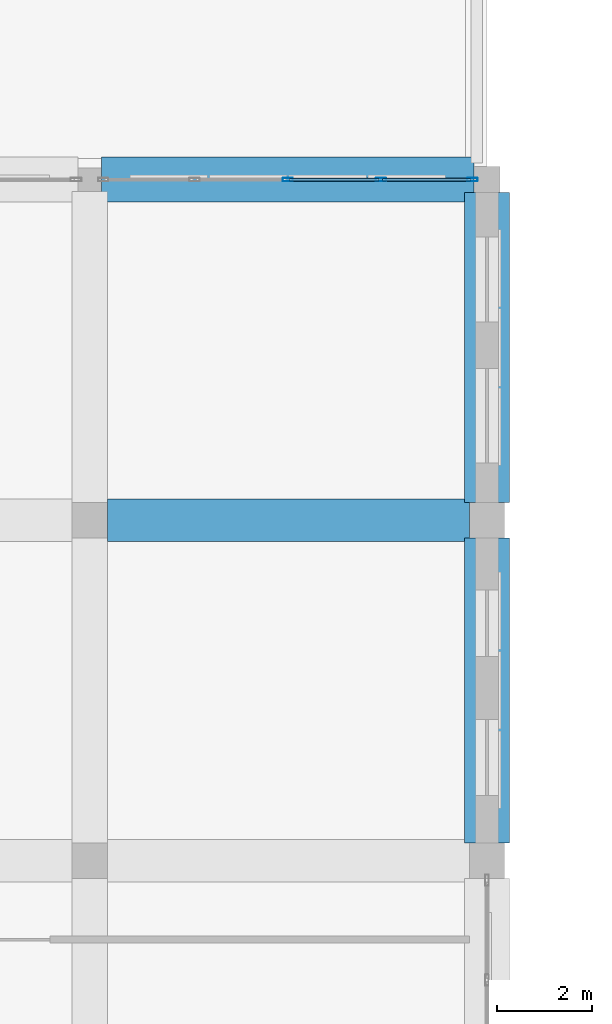
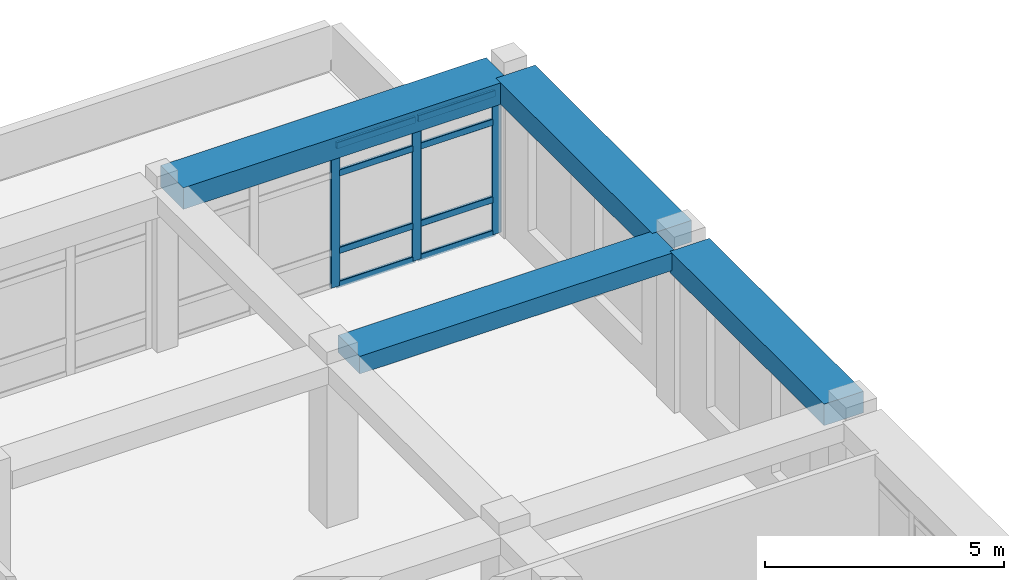
# One storey, part 41 of 111: 11 members, 4 beams, 1 element without a shape of its own.
"""IFC4 building model written with IfcOpenShell, lengths in metres."""

from ifc_helpers import new_model, si_unit, derived_unit, direction, frame, origin, origin_2d, place, context, subcontext, project, spatial, rectangle, hollow_rectangle, extrude, material, material_profile, profile_set, type_object, element, aggregate, save


model = new_model("IFC4")

# Units and contexts
model_context = context("Model", 3, precision=1e-05, world=origin(), true_north=direction((0.0, 1.0)))
body_context = subcontext(model_context, "Body", "Model", "MODEL_VIEW")
ifc_project = project(units=[si_unit("LENGTHUNIT", "METRE"), si_unit("AREAUNIT", "SQUARE_METRE"), si_unit("VOLUMEUNIT", "CUBIC_METRE"), si_unit("PLANEANGLEUNIT", "RADIAN"), si_unit("MASSUNIT", "GRAM", prefix="KILO"), derived_unit("THERMALTRANSMITTANCEUNIT", [(si_unit("POWERUNIT", "WATT"), 1), (si_unit("LENGTHUNIT", "METRE"), -2), (si_unit("THERMODYNAMICTEMPERATUREUNIT", "KELVIN"), -1)])], contexts=[model_context])

# Site, building, storey
site_placement = place(None, origin())
site = spatial("IfcSite", under=ifc_project, at=site_placement, CompositionType="ELEMENT")
building_placement = place(site_placement, origin())
building = spatial("IfcBuilding", under=site, at=building_placement, Name="Veybourne Emporium", CompositionType="ELEMENT")
storey_placement = place(building_placement, frame((0.0, 0.0, 9.89990234375)))
storey = spatial("IfcBuildingStorey", under=building, at=storey_placement, Name="L02", CompositionType="ELEMENT", Elevation=9.89990234375)

# Curtain wall, members
ifc_material_1 = material(Name="Patinated Architectural Bronze", Category="bronze")
curtain_wall_type = type_object("IfcCurtainWallType", Name="CWSystem_CWS-24", PredefinedType="NOTDEFINED", material=ifc_material_1)
curtain_wall_placement = place(storey_placement, origin())
curtain_wall = element("IfcCurtainWall", 1, at=curtain_wall_placement, inside=storey, type_object=curtain_wall_type, Name="L02 bronze glazed curtain wall CWS-24 (060)", PredefinedType="NOTDEFINED")
ifc_material_profile_1 = material_profile(ifc_material_1, hollow_rectangle(XDim=0.070068359375, YDim=0.219970703125, WallThickness=0.0048828125, InnerFilletRadius=0.007568359375, OuterFilletRadius=0.012451171875, at=origin_2d()), Name="CWM 70x220x5")
ifc_profile_set_1 = profile_set([ifc_material_profile_1], Name="Patinated Architectural Bronze")
member_type_1 = type_object("IfcMemberType", Name="CWMullion_CW-M4", PredefinedType="MULLION", material=ifc_profile_set_1)
member_1_placement = place(storey_placement, frame((96.58740234375, 108.0, 0.0), z_axis=(0.0, 0.0, 1.0), x_axis=(0.0, 1.0, 0.0)))
member_1 = element("IfcMember", 2, at=member_1_placement, type_object=member_type_1, Name="CWS-24 mullion 3", PredefinedType="MULLION", context=body_context, shape_type="SweptSolid", body=[
    extrude(hollow_rectangle(XDim=0.070068359375, YDim=0.219970703125, WallThickness=0.0048828125, InnerFilletRadius=0.007568359375, OuterFilletRadius=0.012451171875, at=origin_2d()), origin(), (0.0, 0.0, 1.0), 3.630126953125),
])
member_2_placement = place(storey_placement, frame((98.55615234375, 108.0, 0.0), z_axis=(0.0, 0.0, 1.0), x_axis=(0.0, 1.0, 0.0)))
member_2 = element("IfcMember", 3, at=member_2_placement, type_object=member_type_1, Name="CWS-24 mullion 4", PredefinedType="MULLION", context=body_context, shape_type="SweptSolid", body=[
    extrude(hollow_rectangle(XDim=0.070068359375, YDim=0.219970703125, WallThickness=0.0048828125, InnerFilletRadius=0.007568359375, OuterFilletRadius=0.012451171875, at=origin_2d()), origin(), (0.0, 0.0, 1.0), 3.630126953125),
])
member_3_placement = place(storey_placement, frame((100.489990234375, 108.0, 0.0), z_axis=(0.0, 0.0, 1.0), x_axis=(0.0, 1.0, 0.0)))
member_3 = element("IfcMember", 4, at=member_3_placement, type_object=member_type_1, Name="CWS-24 mullion 5", PredefinedType="MULLION", context=body_context, shape_type="SweptSolid", body=[
    extrude(hollow_rectangle(XDim=0.070068359375, YDim=0.219970703125, WallThickness=0.0048828125, InnerFilletRadius=0.007568359375, OuterFilletRadius=0.012451171875, at=origin_2d()), origin(), (0.0, 0.0, 1.0), 3.630126953125),
])
ifc_material_profile_2 = material_profile(ifc_material_1, hollow_rectangle(XDim=0.070068359375, YDim=0.169921875, WallThickness=0.0048828125, InnerFilletRadius=0.007568359375, OuterFilletRadius=0.012451171875, at=origin_2d()), Name="CWT 70x170x5")
ifc_profile_set_2 = profile_set([ifc_material_profile_2], Name="Patinated Architectural Bronze")
member_type_2 = type_object("IfcMemberType", Name="CWTransom_CW-T4", PredefinedType="NOTDEFINED", material=ifc_profile_set_2)
member_4_placement = place(storey_placement, frame((96.62255859375, 108.0, 0.03515625), z_axis=(1.0, 0.0, 0.0), x_axis=(0.0, 1.0, 0.0)))
member_4 = element("IfcMember", 5, at=member_4_placement, type_object=member_type_2, Name="CWS-24 transom 3.1", ObjectType="TRANSOM", PredefinedType="USERDEFINED", context=body_context, shape_type="SweptSolid", body=[
    extrude(hollow_rectangle(XDim=0.070068359375, YDim=0.169921875, WallThickness=0.0048828125, InnerFilletRadius=0.007568359375, OuterFilletRadius=0.012451171875, at=origin_2d()), origin(), (0.0, 0.0, 1.0), 1.898681640625),
])
member_5_placement = place(storey_placement, frame((96.62255859375, 108.0, 0.900146484375), z_axis=(1.0, 0.0, 0.0), x_axis=(0.0, 1.0, 0.0)))
member_5 = element("IfcMember", 6, at=member_5_placement, type_object=member_type_2, Name="CWS-24 transom 3.2", ObjectType="TRANSOM", PredefinedType="USERDEFINED", context=body_context, shape_type="SweptSolid", body=[
    extrude(hollow_rectangle(XDim=0.070068359375, YDim=0.169921875, WallThickness=0.0048828125, InnerFilletRadius=0.007568359375, OuterFilletRadius=0.012451171875, at=origin_2d()), origin(), (0.0, 0.0, 1.0), 1.898681640625),
])
member_6_placement = place(storey_placement, frame((96.62255859375, 108.0, 2.880126953125), z_axis=(1.0, 0.0, 0.0), x_axis=(0.0, 1.0, 0.0)))
member_6 = element("IfcMember", 7, at=member_6_placement, type_object=member_type_2, Name="CWS-24 transom 3.3", ObjectType="TRANSOM", PredefinedType="USERDEFINED", context=body_context, shape_type="SweptSolid", body=[
    extrude(hollow_rectangle(XDim=0.070068359375, YDim=0.169921875, WallThickness=0.0048828125, InnerFilletRadius=0.007568359375, OuterFilletRadius=0.012451171875, at=origin_2d()), origin(), (0.0, 0.0, 1.0), 1.898681640625),
])
member_7_placement = place(storey_placement, frame((96.62255859375, 108.0, 3.59521484375), z_axis=(1.0, 0.0, 0.0), x_axis=(0.0, 1.0, 0.0)))
member_7 = element("IfcMember", 8, at=member_7_placement, type_object=member_type_2, Name="CWS-24 transom 3.4", ObjectType="TRANSOM", PredefinedType="USERDEFINED", context=body_context, shape_type="SweptSolid", body=[
    extrude(hollow_rectangle(XDim=0.070068359375, YDim=0.169921875, WallThickness=0.0048828125, InnerFilletRadius=0.007568359375, OuterFilletRadius=0.012451171875, at=origin_2d()), origin(), (0.0, 0.0, 1.0), 1.898681640625),
])
member_8_placement = place(storey_placement, frame((98.59130859375, 108.0, 0.03515625), z_axis=(1.0, 0.0, 0.0), x_axis=(0.0, 1.0, 0.0)))
member_8 = element("IfcMember", 9, at=member_8_placement, type_object=member_type_2, Name="CWS-24 transom 4.1", ObjectType="TRANSOM", PredefinedType="USERDEFINED", context=body_context, shape_type="SweptSolid", body=[
    extrude(hollow_rectangle(XDim=0.070068359375, YDim=0.169921875, WallThickness=0.0048828125, InnerFilletRadius=0.007568359375, OuterFilletRadius=0.012451171875, at=origin_2d()), origin(), (0.0, 0.0, 1.0), 1.86376953125),
])
member_9_placement = place(storey_placement, frame((98.59130859375, 108.0, 0.900146484375), z_axis=(1.0, 0.0, 0.0), x_axis=(0.0, 1.0, 0.0)))
member_9 = element("IfcMember", 10, at=member_9_placement, type_object=member_type_2, Name="CWS-24 transom 4.2", ObjectType="TRANSOM", PredefinedType="USERDEFINED", context=body_context, shape_type="SweptSolid", body=[
    extrude(hollow_rectangle(XDim=0.070068359375, YDim=0.169921875, WallThickness=0.0048828125, InnerFilletRadius=0.007568359375, OuterFilletRadius=0.012451171875, at=origin_2d()), origin(), (0.0, 0.0, 1.0), 1.86376953125),
])
member_10_placement = place(storey_placement, frame((98.59130859375, 108.0, 2.880126953125), z_axis=(1.0, 0.0, 0.0), x_axis=(0.0, 1.0, 0.0)))
member_10 = element("IfcMember", 11, at=member_10_placement, type_object=member_type_2, Name="CWS-24 transom 4.3", ObjectType="TRANSOM", PredefinedType="USERDEFINED", context=body_context, shape_type="SweptSolid", body=[
    extrude(hollow_rectangle(XDim=0.070068359375, YDim=0.169921875, WallThickness=0.0048828125, InnerFilletRadius=0.007568359375, OuterFilletRadius=0.012451171875, at=origin_2d()), origin(), (0.0, 0.0, 1.0), 1.86376953125),
])
member_11_placement = place(storey_placement, frame((98.59130859375, 108.0, 3.59521484375), z_axis=(1.0, 0.0, 0.0), x_axis=(0.0, 1.0, 0.0)))
member_11 = element("IfcMember", 12, at=member_11_placement, type_object=member_type_2, Name="CWS-24 transom 4.4", ObjectType="TRANSOM", PredefinedType="USERDEFINED", context=body_context, shape_type="SweptSolid", body=[
    extrude(hollow_rectangle(XDim=0.070068359375, YDim=0.169921875, WallThickness=0.0048828125, InnerFilletRadius=0.007568359375, OuterFilletRadius=0.012451171875, at=origin_2d()), origin(), (0.0, 0.0, 1.0), 1.86376953125),
])
aggregate(curtain_wall, [member_1, member_2, member_3, member_4, member_5, member_6, member_7, member_8, member_9, member_10, member_11])

# Beams
ifc_material_2 = material(Name="Concrete C32/40", Category="concrete")
ifc_material_profile_3 = material_profile(ifc_material_2, rectangle(XDim=0.89990234375, YDim=0.449951171875, at=origin_2d()), Name="RC 900x450")
ifc_profile_set_3 = profile_set([ifc_material_profile_3], Name="Concrete C32/40")
beam_type_1 = type_object("IfcBeamType", Name="RCBeam_BB-03", PredefinedType="BEAM", material=ifc_profile_set_3)
beam_1_placement = place(storey_placement, frame((92.77490234375, 100.800048828125, 3.955078125), z_axis=(1.0, 0.0, 0.0), x_axis=(0.0, 1.0, 0.0)))
element("IfcBeam", 13, at=beam_1_placement, inside=storey, type_object=beam_type_1, Name="L02 X-grid beam BB-03 (11,14)", PredefinedType="BEAM", context=body_context, shape_type="SweptSolid", body=[
    extrude(rectangle(XDim=0.89990234375, YDim=0.449951171875, at=origin_2d()), origin(), (0.0, 0.0, 1.0), 7.650146484375),
])
ifc_material_profile_4 = material_profile(ifc_material_2, rectangle(XDim=0.949951171875, YDim=0.550048828125, at=origin_2d()), Name="RC 950x550")
ifc_profile_set_4 = profile_set([ifc_material_profile_4], Name="Concrete C32/40")
beam_type_2 = type_object("IfcBeamType", Name="RCBeam_EB-01", PredefinedType="SPANDREL", material=ifc_profile_set_4)
beam_2_placement = place(storey_placement, frame((92.64990234375, 108.0, 3.905029296875), z_axis=(1.0, 0.0, 0.0), x_axis=(0.0, 1.0, 0.0)))
element("IfcBeam", 14, at=beam_2_placement, inside=storey, type_object=beam_type_2, Name="L02 X-grid beam EB-01 (11,15)", PredefinedType="SPANDREL", context=body_context, shape_type="SweptSolid", body=[
    extrude(rectangle(XDim=0.949951171875, YDim=0.550048828125, at=origin_2d()), origin(), (0.0, 0.0, 1.0), 7.875),
])
beam_3_placement = place(storey_placement, frame((100.800048828125, 93.97509765625, 3.905029296875), z_axis=(0.0, 1.0, 0.0), x_axis=(-1.0, 0.0, 0.0)))
element("IfcBeam", 15, at=beam_3_placement, inside=storey, type_object=beam_type_2, Name="L02 Y-grid beam EB-01 (12,13)", PredefinedType="SPANDREL", context=body_context, shape_type="SweptSolid", body=[
    extrude(rectangle(XDim=0.949951171875, YDim=0.550048828125, at=origin_2d()), origin(), (0.0, 0.0, 1.0), 6.449951171875),
])
beam_4_placement = place(storey_placement, frame((100.800048828125, 101.175048828125, 3.905029296875), z_axis=(0.0, 1.0, 0.0), x_axis=(-1.0, 0.0, 0.0)))
element("IfcBeam", 16, at=beam_4_placement, inside=storey, type_object=beam_type_2, Name="L02 Y-grid beam EB-01 (12,14)", PredefinedType="SPANDREL", context=body_context, shape_type="SweptSolid", body=[
    extrude(rectangle(XDim=0.949951171875, YDim=0.550048828125, at=origin_2d()), origin(), (0.0, 0.0, 1.0), 6.550048828125),
])

save(model, "model.ifc")
